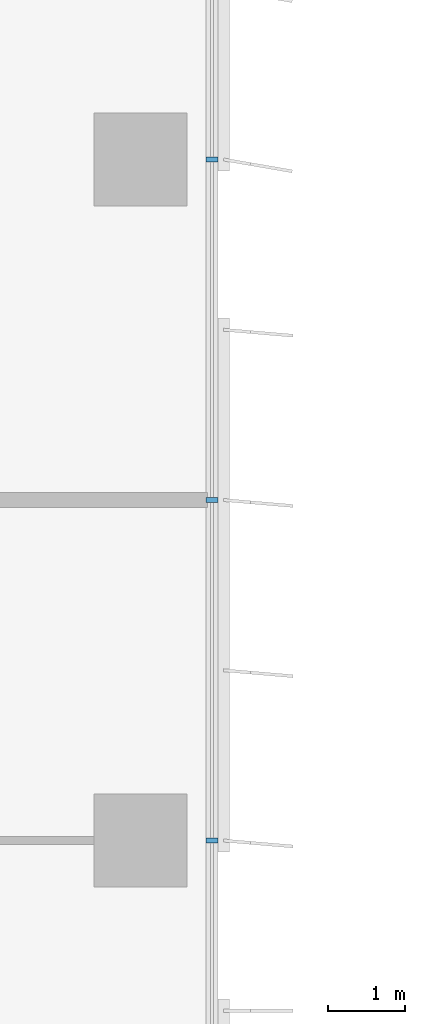
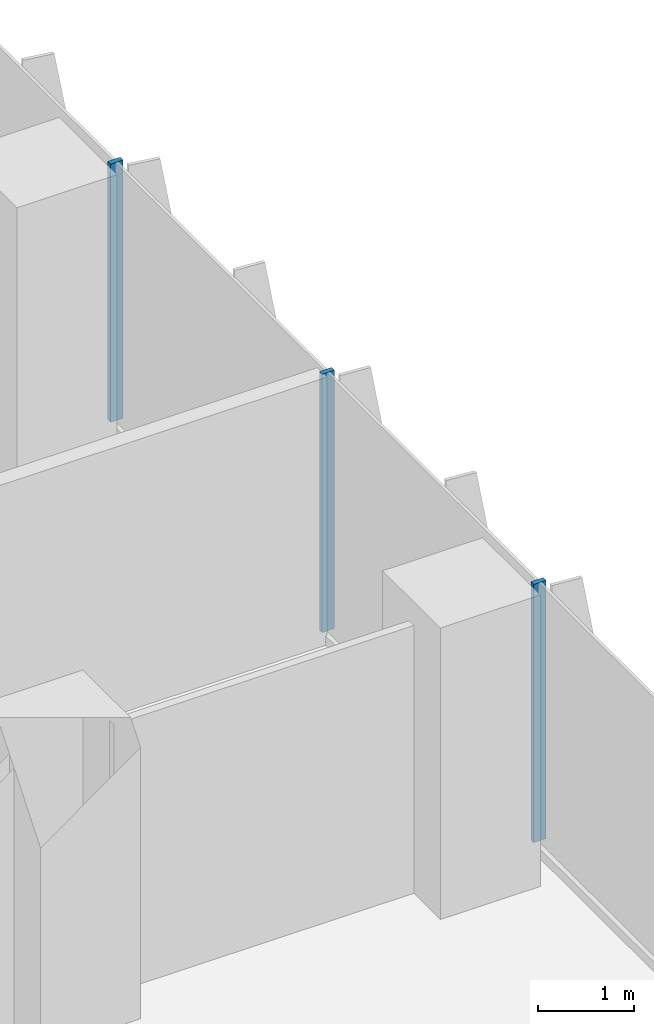
# One storey, part 7 of 22: 3 members, 1 element without a shape of its own.
"""IFC4 building model written with IfcOpenShell, lengths in metres."""

import ifcopenshell
import ifcopenshell.guid

model = None  # the IFC model being written
_history = None  # IfcOwnerHistory: only IFC2X3 demands one
_inside = {}  # id of a spatial element -> (the spatial element, [elements in it])
_under = {}  # id of a project, library or spatial element -> (it, [spatial elements below it])
_declared = {}  # id of a project -> (the project, [libraries it declares])
_typed = {}  # id of a type object -> (the type object, [elements of that type])
_made_of = {}  # id of a material, layer set ... -> (it, [elements and type objects made of it])


def new_model(schema):
    """Start an empty IFC model of exactly this schema.

    Asked for "IFC4X3", IfcOpenShell would pick the latest addendum, in which some entities
    have other attributes; the version numbers below select the first issue.
    IFC2X3 requires an IfcOwnerHistory on every rooted entity: one is made here for all.
    """
    global model, _history
    if schema == "IFC4X3":
        model = ifcopenshell.file(schema_version=(4, 3, 0, 0))
    else:
        model = ifcopenshell.file(schema=schema)
    _inside.clear()
    _under.clear()
    _declared.clear()
    _typed.clear()
    _made_of.clear()
    _history = None
    if model.schema == "IFC2X3":
        org = make("IfcOrganization", Name="unknown")
        user = make(
            "IfcPersonAndOrganization",
            ThePerson=make("IfcPerson", FamilyName="unknown"),
            TheOrganization=org,
        )
        app = make(
            "IfcApplication",
            ApplicationDeveloper=org,
            Version="unknown",
            ApplicationFullName="unknown",
            ApplicationIdentifier="unknown",
        )
        _history = make(
            "IfcOwnerHistory",
            OwningUser=user,
            OwningApplication=app,
            ChangeAction="ADDED",
            CreationDate=0,
        )
    return model


def make(cls, **values):
    """One entity of the class cls with the attributes given. An attribute that is None is left unset."""
    return model.create_entity(
        cls, **{name: value for name, value in values.items() if value is not None}
    )


def rooted(cls, **values):
    """An entity with a GlobalId (a new one), such as an element, a storey or a relation."""
    return make(cls, GlobalId=ifcopenshell.guid.new(), OwnerHistory=_history, **values)


def si_unit(unit_type, name, prefix=None):
    """IfcSIUnit, for example si_unit("LENGTHUNIT", "METRE", prefix="MILLI")."""
    return make("IfcSIUnit", UnitType=unit_type, Prefix=prefix, Name=name)


def assignment(units):
    """IfcUnitAssignment: the units of a project."""
    return None if units is None else make("IfcUnitAssignment", Units=units)


def point(xyz):
    """IfcCartesianPoint."""
    return None if xyz is None else make("IfcCartesianPoint", Coordinates=xyz)


def direction(xyz):
    """IfcDirection."""
    return None if xyz is None else make("IfcDirection", DirectionRatios=xyz)


def frame(location, z_axis=None, x_axis=None):
    """IfcAxis2Placement3D, a coordinate frame: its origin and axes. An axis left out is left unset."""
    return make(
        "IfcAxis2Placement3D",
        Location=point(location),
        Axis=direction(z_axis),
        RefDirection=direction(x_axis),
    )


def frame_2d(location, x_axis=None):
    """IfcAxis2Placement2D, a coordinate frame in the plane: its origin and x axis."""
    return make(
        "IfcAxis2Placement2D", Location=point(location), RefDirection=direction(x_axis)
    )


def origin():
    """The frame at (0, 0, 0) with its axes left unset."""
    return frame((0.0, 0.0, 0.0))


def origin_2d():
    """The frame at (0, 0) in the plane with its x axis left unset."""
    return frame_2d((0.0, 0.0))


def place(relative_to, where):
    """IfcLocalPlacement: puts the frame where relative to a parent placement (None: the world)."""
    return make(
        "IfcLocalPlacement", PlacementRelTo=relative_to, RelativePlacement=where
    )


def context(
    kind, dimensions, precision=None, world=None, true_north=None, identifier=None
):
    """IfcGeometricRepresentationContext, for example the 3D "Model" context."""
    return make(
        "IfcGeometricRepresentationContext",
        ContextIdentifier=identifier,
        ContextType=kind,
        CoordinateSpaceDimension=dimensions,
        Precision=precision,
        WorldCoordinateSystem=world,
        TrueNorth=true_north,
    )


def subcontext(parent, identifier, kind, view, scale=None):
    """IfcGeometricRepresentationSubContext, for example "Body" below "Model"."""
    return make(
        "IfcGeometricRepresentationSubContext",
        ContextIdentifier=identifier,
        ContextType=kind,
        ParentContext=parent,
        TargetScale=scale,
        TargetView=view,
    )


def project(units=None, contexts=None):
    """IfcProject with its units and contexts."""
    return rooted(
        "IfcProject",
        Name="project",
        RepresentationContexts=contexts,
        UnitsInContext=assignment(units),
    )


def spatial(cls, under=None, at=None, **own):
    """A site, building, storey or space (cls), placed at a placement, below another one or the project."""
    s = rooted(cls, ObjectPlacement=at, **own)
    if under is not None:
        _under.setdefault(under.id(), (under, []))[1].append(s)
    return s


def profile(cls, at=None, kind="AREA", **sizes):
    """A parametric profile (cls). Its sizes go by their IFC names, for example OverallWidth=200.0."""
    return make(cls, ProfileType=kind, Position=at, **sizes)


def rectangle(**sizes):
    """IfcRectangleProfileDef."""
    return profile("IfcRectangleProfileDef", **sizes)


def extrude(swept, where, along, depth):
    """IfcExtrudedAreaSolid: the profile swept, set in the frame where, extruded along a direction by depth."""
    return make(
        "IfcExtrudedAreaSolid",
        SweptArea=swept,
        Position=where,
        ExtrudedDirection=direction(along),
        Depth=depth,
    )


def shape(context_of_items, identifier, shape_type, items):
    """IfcShapeRepresentation: the items that make up one representation, for example the "Body"."""
    return make(
        "IfcShapeRepresentation",
        ContextOfItems=context_of_items,
        RepresentationIdentifier=identifier,
        RepresentationType=shape_type,
        Items=items,
    )


def source(mapping_origin, context_of_items, identifier, shape_type, items):
    """IfcRepresentationMap: a shape defined once, which mapped items show again and again."""
    return make(
        "IfcRepresentationMap",
        MappingOrigin=mapping_origin,
        MappedRepresentation=shape(context_of_items, identifier, shape_type, items),
    )


def transform(
    local_origin,
    x_axis=None,
    y_axis=None,
    z_axis=None,
    scale=None,
    scale2=None,
    scale3=None,
    uniform=True,
):
    """IfcCartesianTransformationOperator3D, or its non-uniform kind. x_axis, y_axis, z_axis: its Axis1, 2, 3."""
    if uniform:
        return make(
            "IfcCartesianTransformationOperator3D",
            Axis1=direction(x_axis),
            Axis2=direction(y_axis),
            LocalOrigin=point(local_origin),
            Scale=scale,
            Axis3=direction(z_axis),
        )
    return make(
        "IfcCartesianTransformationOperator3DnonUniform",
        Axis1=direction(x_axis),
        Axis2=direction(y_axis),
        LocalOrigin=point(local_origin),
        Scale=scale,
        Axis3=direction(z_axis),
        Scale2=scale2,
        Scale3=scale3,
    )


def mapped(mapping_source, mapping_target):
    """IfcMappedItem: shows the shape of a source again, moved by a transform."""
    return make(
        "IfcMappedItem", MappingSource=mapping_source, MappingTarget=mapping_target
    )


def material(Name=None, Category=None):
    """IfcMaterial."""
    return make("IfcMaterial", Name=Name, Category=Category)


def material_profile(
    of_material, cross_section, Name=None, Category=None, Priority=None
):
    """IfcMaterialProfile: a cross section and its material."""
    return make(
        "IfcMaterialProfile",
        Name=Name,
        Material=of_material,
        Profile=cross_section,
        Priority=Priority,
        Category=Category,
    )


def profile_set(profiles, Name=None, composite=None):
    """IfcMaterialProfileSet."""
    return make(
        "IfcMaterialProfileSet",
        Name=Name,
        MaterialProfiles=profiles,
        CompositeProfile=composite,
    )


def made_of(thing, what):
    """Note that an element or type object is made of a material, layer set ...; save() writes the relation."""
    if what is not None:
        _made_of.setdefault(what.id(), (what, []))[1].append(thing)
    return thing


def type_object(cls, material=None, **own):
    """A type object (cls), such as IfcWallType, which elements share."""
    return made_of(rooted(cls, **own), material)


def element(
    cls,
    number,
    at=None,
    inside=None,
    cuts=None,
    type_object=None,
    material=None,
    context=None,
    identifier="Body",
    shape_type=None,
    held_by="IfcProductDefinitionShape",
    body=None,
    shapes=None,
    **own,
):
    """One element of the class cls, such as IfcWall. Its Tag is "e" and its number.

    at: its placement. inside: the storey or other place that contains it. cuts: it is an
    opening in that element (IfcRelVoidsElement). A single representation is given by context,
    identifier, shape_type and body (its items); several are given by shapes. held_by: the class
    of the entity that holds the representations. save() writes the other relations.
    """
    e = rooted(cls, Tag="e%d" % number, ObjectPlacement=at, **own)
    if body is not None:
        shapes = [shape(context, identifier, shape_type, body)]
    if shapes is not None:
        e.Representation = make(held_by, Representations=shapes)
    if inside is not None:
        _inside.setdefault(inside.id(), (inside, []))[1].append(e)
    if cuts is not None:
        rooted(
            "IfcRelVoidsElement", RelatingBuildingElement=cuts, RelatedOpeningElement=e
        )
    if type_object is not None:
        _typed.setdefault(type_object.id(), (type_object, []))[1].append(e)
    return made_of(e, material)


def aggregate(whole, parts):
    """IfcRelAggregates: a whole, such as a stair, and the parts it consists of."""
    return rooted("IfcRelAggregates", RelatingObject=whole, RelatedObjects=parts)


def save(model, path):
    """Write the relations noted so far, then the file.

    IfcRelAggregates (storeys below a building ...), IfcRelContainedInSpatialStructure (elements
    in a storey), IfcRelDefinesByType, IfcRelAssociatesMaterial and IfcRelDeclares: one each for
    every whole, place, type object, material and project.
    """
    for whole, parts in _under.values():
        aggregate(whole, parts)
    for where, things in _inside.values():
        rooted(
            "IfcRelContainedInSpatialStructure",
            RelatedElements=things,
            RelatingStructure=where,
        )
    for kind, things in _typed.values():
        rooted("IfcRelDefinesByType", RelatedObjects=things, RelatingType=kind)
    for what, things in _made_of.values():
        rooted("IfcRelAssociatesMaterial", RelatedObjects=things, RelatingMaterial=what)
    for by, libraries in _declared.values():
        rooted("IfcRelDeclares", RelatingContext=by, RelatedDefinitions=libraries)
    model.write(path)


model = new_model("IFC4")

# Units and contexts
model_context = context("Model", 3, precision=1e-05, world=origin(), true_north=direction((0.0, 1.0)))
body_context = subcontext(model_context, "Body", "Model", "MODEL_VIEW")
ifc_project = project(units=[si_unit("LENGTHUNIT", "METRE"), si_unit("AREAUNIT", "SQUARE_METRE"), si_unit("VOLUMEUNIT", "CUBIC_METRE"), si_unit("PLANEANGLEUNIT", "RADIAN"), si_unit("MASSUNIT", "GRAM", prefix="KILO")], contexts=[model_context])

# Site, building, storey
site_placement = place(None, origin())
site = spatial("IfcSite", under=ifc_project, at=site_placement, CompositionType="ELEMENT")
building_placement = place(site_placement, origin())
building = spatial("IfcBuilding", under=site, at=building_placement, Name="Kemantara Hotel Tower", CompositionType="ELEMENT")
storey_placement = place(building_placement, frame((0.0, 0.0, 122.199951171875)))
storey = spatial("IfcBuildingStorey", under=building, at=storey_placement, Name="L29", CompositionType="ELEMENT", Elevation=122.199951171875)

# Curtain wall, members
ifc_material_1 = material(Name="Low-E tinted double insulated glass 36 mm", Category="glass")
curtain_wall_type = type_object("IfcCurtainWallType", Name="TOWER CURTAIN WALL, FRONT FACES", PredefinedType="USERDEFINED", material=ifc_material_1)
curtain_wall_placement = place(storey_placement, origin())
curtain_wall = element("IfcCurtainWall", 1, at=curtain_wall_placement, inside=storey, type_object=curtain_wall_type, Name="CW4 L29 T2-R14-1", ObjectType="TOWER CURTAIN WALL, FRONT FACES", PredefinedType="USERDEFINED")
ifc_material_2 = material(Name="Aluminium 6063-T6 bronze anodised", Category="aluminium")
ifc_material_profile = material_profile(ifc_material_2, rectangle(XDim=0.14990234375, YDim=0.06005859375, at=origin_2d()), Name="TOWER CURTAIN WALL, FRONT FACES MULLION")
ifc_profile_set = profile_set([ifc_material_profile], Name="Aluminium 6063-T6 bronze anodised")
member_type = type_object("IfcMemberType", Name="TOWER CURTAIN WALL, FRONT FACES MULLION", PredefinedType="MULLION", material=ifc_profile_set)
shared_shape = source(origin(), body_context, "Body", "SweptSolid", [
    extrude(rectangle(XDim=0.14990234375, YDim=0.06005859375, at=origin_2d()), origin(), (0.0, 0.0, 1.0), 3.280029296875),
])
member_1_placement = place(storey_placement, frame((26.72509765625, 53.800048828125, 0.1201171875), z_axis=(0.0, 0.0, 1.0), x_axis=(-1.0, 0.0, 0.0)))
member_1 = element("IfcMember", 2, at=member_1_placement, type_object=member_type, Name="CW4 mullion T2-R14-1.9", PredefinedType="MULLION", context=body_context, shape_type="MappedRepresentation", body=[
    mapped(shared_shape, transform((0.0, 0.0, 0.0))),
])
member_2_placement = place(storey_placement, frame((26.72509765625, 58.199951171875, 0.1201171875), z_axis=(0.0, 0.0, 1.0), x_axis=(-1.0, 0.0, 0.0)))
member_2 = element("IfcMember", 3, at=member_2_placement, type_object=member_type, Name="CW4 mullion T2-R14-1.10", PredefinedType="MULLION", context=body_context, shape_type="MappedRepresentation", body=[
    mapped(shared_shape, transform((0.0, 0.0, 0.0))),
])
member_3_placement = place(storey_placement, frame((26.72509765625, 62.60009765625, 0.1201171875), z_axis=(0.0, 0.0, 1.0), x_axis=(-1.0, 0.0, 0.0)))
member_3 = element("IfcMember", 4, at=member_3_placement, type_object=member_type, Name="CW4 mullion T2-R14-1.11", PredefinedType="MULLION", context=body_context, shape_type="MappedRepresentation", body=[
    mapped(shared_shape, transform((0.0, 0.0, 0.0))),
])
aggregate(curtain_wall, [member_1, member_2, member_3])

save(model, "model.ifc")
